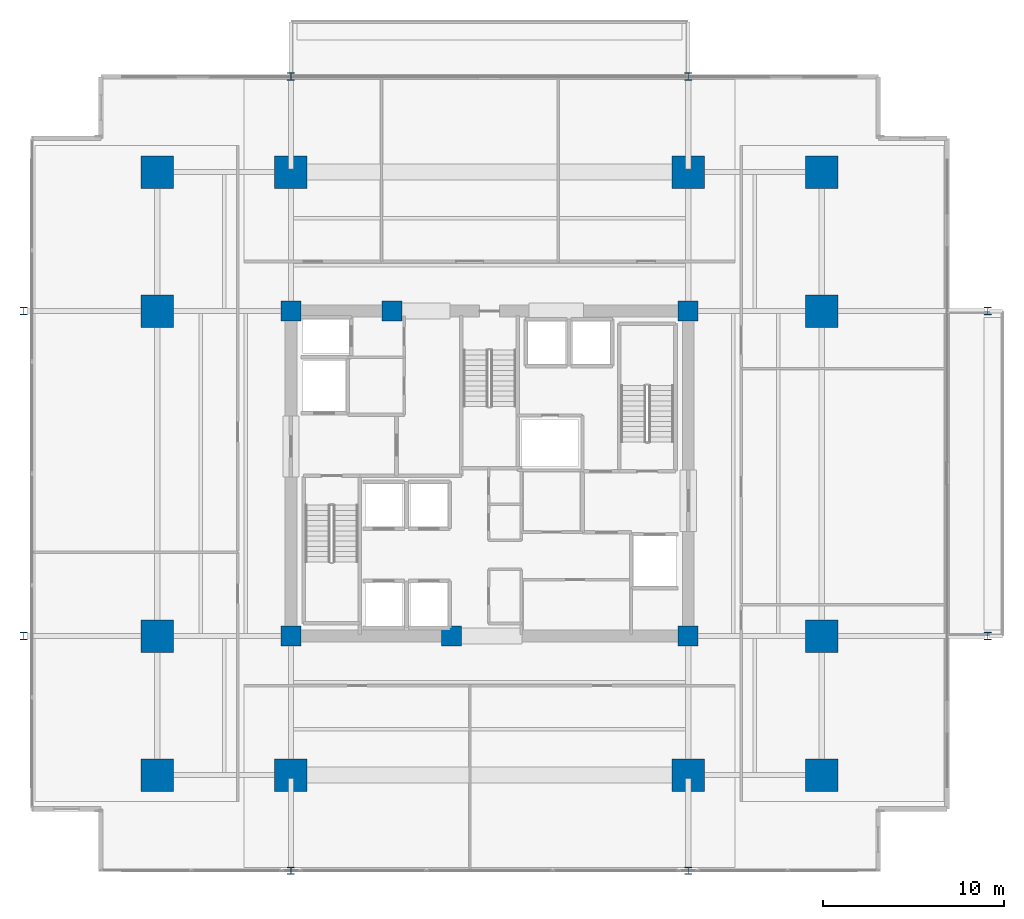
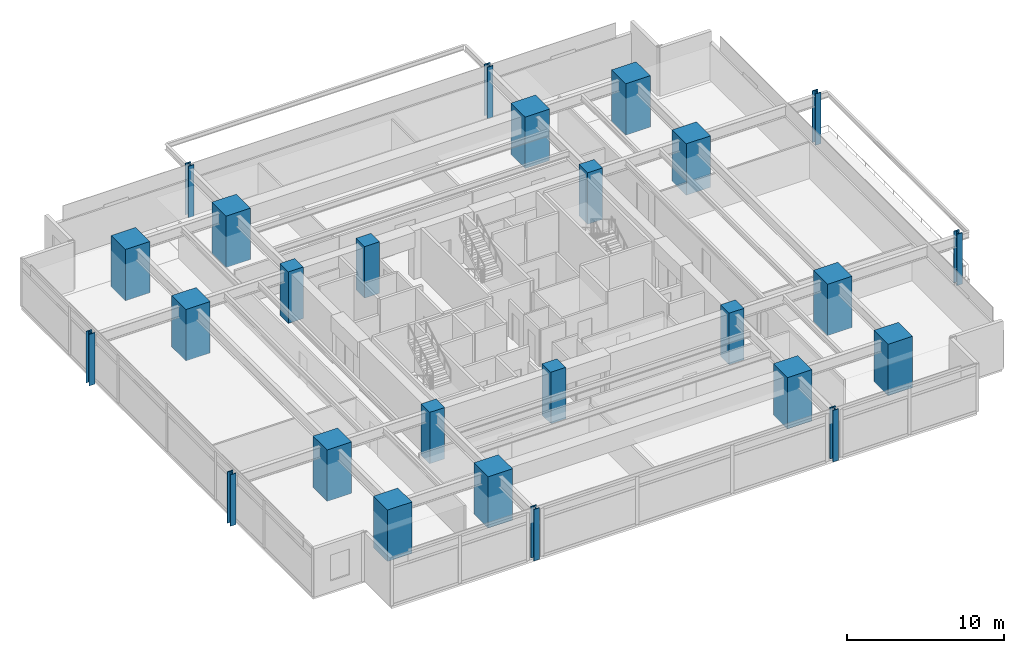
# One storey, part 1 of 22: 26 columns.
"""IFC4 building model written with IfcOpenShell, lengths in metres."""

from ifc_helpers import new_model, si_unit, direction, frame, origin, origin_2d, place, context, subcontext, project, spatial, rectangle, i_section, extrude, material, material_profile, profile_set, type_object, element, save


model = new_model("IFC4")

# Units and contexts
model_context = context("Model", 3, precision=1e-05, world=origin(), true_north=direction((0.0, 1.0)))
body_context = subcontext(model_context, "Body", "Model", "MODEL_VIEW")
ifc_project = project(units=[si_unit("LENGTHUNIT", "METRE"), si_unit("AREAUNIT", "SQUARE_METRE"), si_unit("VOLUMEUNIT", "CUBIC_METRE"), si_unit("PLANEANGLEUNIT", "RADIAN"), si_unit("MASSUNIT", "GRAM", prefix="KILO")], contexts=[model_context])

# Site, building, storey
site_placement = place(None, origin())
site = spatial("IfcSite", under=ifc_project, at=site_placement, CompositionType="ELEMENT")
building_placement = place(site_placement, origin())
building = spatial("IfcBuilding", under=site, at=building_placement, Name="Kovane Verandah Tower", CompositionType="ELEMENT")
storey_placement = place(building_placement, frame((0.0, 0.0, 43.60009765625)))
storey = spatial("IfcBuildingStorey", under=building, at=storey_placement, Name="L09", CompositionType="ELEMENT", Elevation=43.60009765625)

# Columns
ifc_material_1 = material(Name="Concrete C80/95", Category="concrete")
ifc_material_profile_1 = material_profile(ifc_material_1, rectangle(XDim=1.800048828125, YDim=1.800048828125, at=origin_2d()), Name="RC1800x1800")
ifc_profile_set_1 = profile_set([ifc_material_profile_1], Name="Concrete C80/95")
column_type_1 = type_object("IfcColumnType", Name="COL-RC1800", PredefinedType="COLUMN", material=ifc_profile_set_1)
for number, where, z_axis, x_axis, name in (
    (1, (29.0, 10.800048828125, 0.0), (0.0, 0.0, 1.0), (1.0, 0.0, 0.0), "L09 Tower Mega-Column MC-S1"),
    (2, (51.0, 10.800048828125, 0.0), (0.0, 0.0, 1.0), (1.0, 0.0, 0.0), "L09 Tower Mega-Column MC-S2"),
    (3, (29.0, 44.199951171875, 0.0), (0.0, 0.0, 1.0), (1.0, 0.0, 0.0), "L09 Tower Mega-Column MC-N1"),
    (4, (51.0, 44.199951171875, 0.0), (0.0, 0.0, 1.0), (1.0, 0.0, 0.0), "L09 Tower Mega-Column MC-N2"),
    (5, (21.60009765625, 18.5, 0.0), (0.0, 0.0, 1.0), (1.0, 0.0, 0.0), "L09 Tower Mega-Column MC-W1"),
    (6, (21.60009765625, 36.5, 0.0), (0.0, 0.0, 1.0), (1.0, 0.0, 0.0), "L09 Tower Mega-Column MC-W2"),
    (7, (58.39990234375, 18.5, 0.0), (0.0, 0.0, 1.0), (1.0, 0.0, 0.0), "L09 Tower Mega-Column MC-E1"),
    (8, (58.39990234375, 36.5, 0.0), (0.0, 0.0, 1.0), (1.0, 0.0, 0.0), "L09 Tower Mega-Column MC-E2"),
    (9, (21.60009765625, 10.800048828125, 0.0), (0.0, 0.0, 1.0), (1.0, 0.0, 0.0), "L09 Tower Mega-Column MC-SW"),
    (10, (58.39990234375, 10.800048828125, 0.0), (0.0, 0.0, 1.0), (1.0, 0.0, 0.0), "L09 Tower Mega-Column MC-SE"),
    (11, (21.60009765625, 44.199951171875, 0.0), (0.0, 0.0, 1.0), (1.0, 0.0, 0.0), "L09 Tower Mega-Column MC-NW"),
    (12, (58.39990234375, 44.199951171875, 0.0), (0.0, 0.0, 1.0), (1.0, 0.0, 0.0), "L09 Tower Mega-Column MC-NE"),
):
    element("IfcColumn", number, at=place(storey_placement, frame(where, z_axis=z_axis, x_axis=x_axis)), inside=storey, type_object=column_type_1, Name=name, PredefinedType="COLUMN", context=body_context, shape_type="SweptSolid", body=[
        extrude(rectangle(XDim=1.800048828125, YDim=1.800048828125, at=origin_2d()), origin(), (0.0, 0.0, 1.0), 4.0),
    ])
ifc_material_2 = material(Name="Steel S460", Category="steel")
ifc_material_profile_2 = material_profile(ifc_material_2, i_section(OverallWidth=0.412109375, OverallDepth=0.4365234375, WebThickness=0.035888671875, FlangeThickness=0.05810546875, FilletRadius=0.01513671875, at=origin_2d()), Name="UC356x406x467")
ifc_profile_set_2 = profile_set([ifc_material_profile_2], Name="Steel S460")
column_type_2 = type_object("IfcColumnType", Name="COL-UC467", PredefinedType="COLUMN", material=ifc_profile_set_2)
for number, where, z_axis, x_axis, name in (
    (13, (14.199951171875, 18.5, 0.0), (0.0, 0.0, 1.0), (1.0, 0.0, 0.0), "L09 Verandah Perimeter Column VC-W1"),
    (14, (14.199951171875, 36.5, 0.0), (0.0, 0.0, 1.0), (1.0, 0.0, 0.0), "L09 Verandah Perimeter Column VC-W2"),
    (15, (67.60009765625, 18.5, 0.0), (0.0, 0.0, 1.0), (1.0, 0.0, 0.0), "L09 Verandah Perimeter Column VC-E1"),
    (16, (67.60009765625, 36.5, 0.0), (0.0, 0.0, 1.0), (1.0, 0.0, 0.0), "L09 Verandah Perimeter Column VC-E2"),
    (17, (29.0, 5.5, 0.0), (0.0, 0.0, 1.0), (1.0, 0.0, 0.0), "L09 Verandah Perimeter Column VC-S1"),
    (18, (51.0, 5.5, 0.0), (0.0, 0.0, 1.0), (1.0, 0.0, 0.0), "L09 Verandah Perimeter Column VC-S2"),
    (19, (29.0, 49.5, 0.0), (0.0, 0.0, 1.0), (1.0, 0.0, 0.0), "L09 Verandah Perimeter Column VC-N1"),
    (20, (51.0, 49.5, 0.0), (0.0, 0.0, 1.0), (1.0, 0.0, 0.0), "L09 Verandah Perimeter Column VC-N2"),
):
    element("IfcColumn", number, at=place(storey_placement, frame(where, z_axis=z_axis, x_axis=x_axis)), inside=storey, type_object=column_type_2, Name=name, PredefinedType="COLUMN", context=body_context, shape_type="SweptSolid", body=[
        extrude(i_section(OverallWidth=0.412109375, OverallDepth=0.4365234375, WebThickness=0.035888671875, FlangeThickness=0.05810546875, FilletRadius=0.01513671875, at=origin_2d()), origin(), (0.0, 0.0, 1.0), 4.0),
    ])
ifc_material_profile_3 = material_profile(ifc_material_1, rectangle(XDim=1.10009765625, YDim=1.10009765625, at=origin_2d()), Name="RC1100x1100")
ifc_profile_set_3 = profile_set([ifc_material_profile_3], Name="Concrete C80/95")
column_type_3 = type_object("IfcColumnType", Name="PIL-RC1100", PredefinedType="PILASTER", material=ifc_profile_set_3)
for number, where, z_axis, x_axis, name in (
    (21, (29.0, 18.5, 0.0), (0.0, 0.0, 1.0), (1.0, 0.0, 0.0), "L09 Core Pilaster CP-SW"),
    (22, (51.0, 18.5, 0.0), (0.0, 0.0, 1.0), (1.0, 0.0, 0.0), "L09 Core Pilaster CP-SE"),
    (23, (29.0, 36.5, 0.0), (0.0, 0.0, 1.0), (1.0, 0.0, 0.0), "L09 Core Pilaster CP-NW"),
    (24, (51.0, 36.5, 0.0), (0.0, 0.0, 1.0), (1.0, 0.0, 0.0), "L09 Core Pilaster CP-NE"),
    (25, (37.89990234375, 18.5, 0.0), (0.0, 0.0, 1.0), (1.0, 0.0, 0.0), "L09 Core Pilaster CP-S"),
    (26, (34.60009765625, 36.5, 0.0), (0.0, 0.0, 1.0), (1.0, 0.0, 0.0), "L09 Core Pilaster CP-N"),
):
    element("IfcColumn", number, at=place(storey_placement, frame(where, z_axis=z_axis, x_axis=x_axis)), inside=storey, type_object=column_type_3, Name=name, PredefinedType="PILASTER", context=body_context, shape_type="SweptSolid", body=[
        extrude(rectangle(XDim=1.10009765625, YDim=1.10009765625, at=origin_2d()), origin(), (0.0, 0.0, 1.0), 4.0),
    ])

save(model, "model.ifc")
